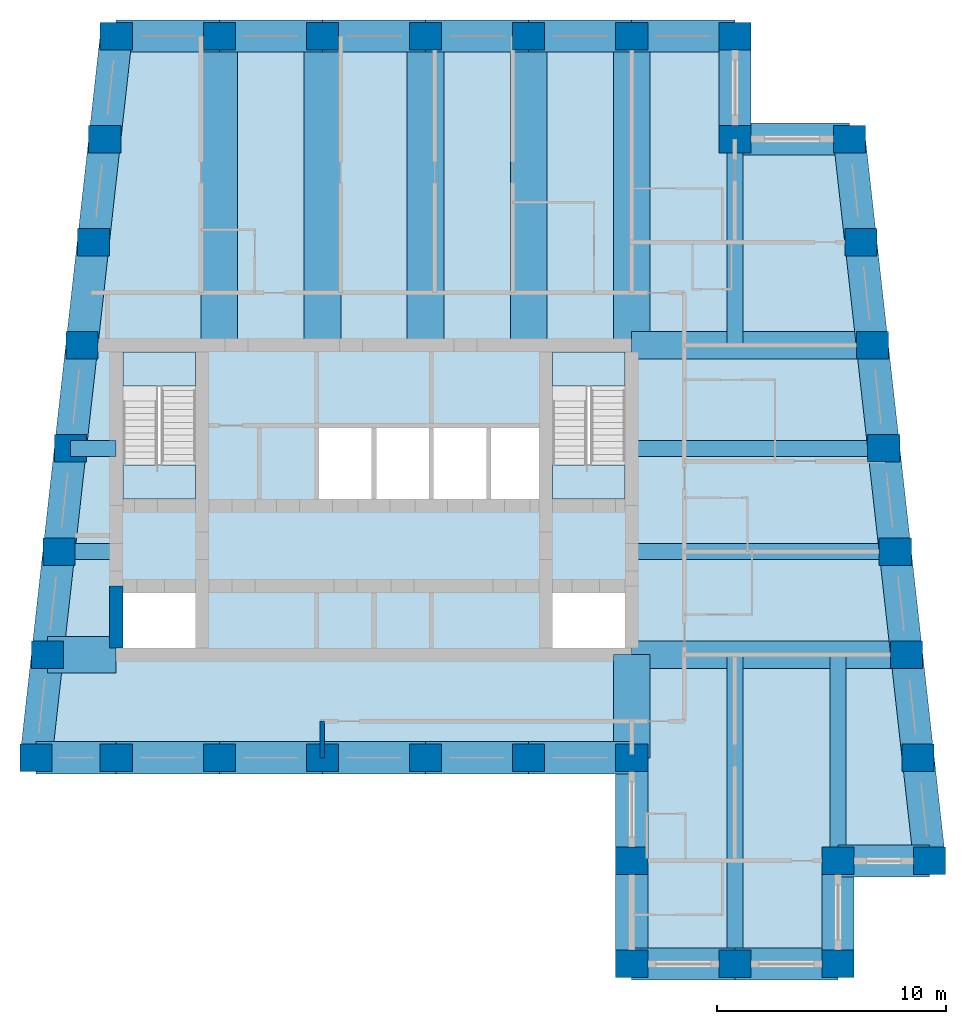
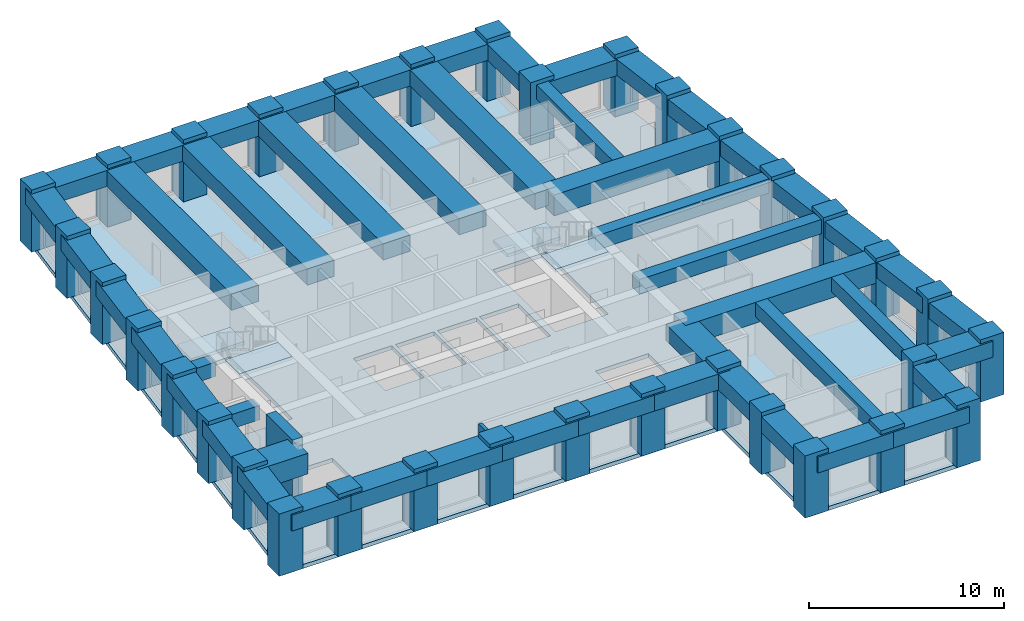
# One storey, part 1 of 7: 50 beams, 34 columns, 5 slabs, 2 walls, 2 elements without a shape of their own.
"""IFC4 building model written with IfcOpenShell, lengths in metres."""

from ifc_helpers import new_model, si_unit, direction, frame, frame_2d, origin, origin_2d, place, context, subcontext, project, spatial, polyline, rectangle, outline, extrude, material, layer, layer_set, material_profile, profile_set, type_object, element, aggregate, save


model = new_model("IFC4")

# Units and contexts
model_context = context("Model", 3, precision=1e-05, world=origin(), true_north=direction((0.0, 1.0)))
body_context = subcontext(model_context, "Body", "Model", "MODEL_VIEW")
ifc_project = project(units=[si_unit("LENGTHUNIT", "METRE"), si_unit("AREAUNIT", "SQUARE_METRE"), si_unit("VOLUMEUNIT", "CUBIC_METRE"), si_unit("PLANEANGLEUNIT", "RADIAN"), si_unit("MASSUNIT", "GRAM", prefix="KILO")], contexts=[model_context])

# Site, building, storey
site_placement = place(None, origin())
site = spatial("IfcSite", under=ifc_project, at=site_placement, CompositionType="ELEMENT")
building_placement = place(site_placement, origin())
building = spatial("IfcBuilding", under=site, at=building_placement, Name="Kilele Tower Hotel", CompositionType="ELEMENT")
storey_placement = place(building_placement, frame((0.0, 0.0, 274.10009765625)))
storey = spatial("IfcBuildingStorey", under=building, at=storey_placement, Name="L70", CompositionType="ELEMENT", Elevation=274.10009765625)

# Columns
ifc_material_1 = material(Name="Concrete C60/75", Category="concrete")
ifc_material_profile_1 = material_profile(ifc_material_1, rectangle(XDim=1.39990234375, YDim=1.199951171875, at=origin_2d()))
ifc_profile_set_1 = profile_set([ifc_material_profile_1], Name="Concrete C60/75")
column_type = type_object("IfcColumnType", Name="Tube column RC 1400x1200 C60/75", PredefinedType="COLUMN", material=ifc_profile_set_1)
for number, where, z_axis, x_axis, name in (
    (1, (10.0, 9.0, 0.0), (0.0, 0.0, 1.0), (1.0, 0.0, 0.0), "Column TC5 L70"),
    (2, (13.5, 9.0, 0.0), (0.0, 0.0, 1.0), (1.0, 0.0, 0.0), "Column TC5 L70"),
    (3, (18.0, 9.0, 0.0), (0.0, 0.0, 1.0), (1.0, 0.0, 0.0), "Column TC5 L70"),
    (4, (22.5, 9.0, 0.0), (0.0, 0.0, 1.0), (1.0, 0.0, 0.0), "Column TC5 L70"),
    (5, (27.0, 9.0, 0.0), (0.0, 0.0, 1.0), (1.0, 0.0, 0.0), "Column TC5 L70"),
    (6, (31.5, 9.0, 0.0), (0.0, 0.0, 1.0), (1.0, 0.0, 0.0), "Column TC5 L70"),
    (7, (36.0, 9.0, 0.0), (0.0, 0.0, 1.0), (1.0, 0.0, 0.0), "Column TC5 L70"),
    (8, (36.0, 4.5, 0.0), (0.0, 0.0, 1.0), (1.0, 0.0, 0.0), "Column TC5 L70"),
    (9, (36.0, 0.0, 0.0), (0.0, 0.0, 1.0), (1.0, 0.0, 0.0), "Column TC5 L70"),
    (10, (40.5, 0.0, 0.0), (0.0, 0.0, 1.0), (1.0, 0.0, 0.0), "Column TC5 L70"),
    (11, (45.0, 0.0, 0.0), (0.0, 0.0, 1.0), (1.0, 0.0, 0.0), "Column TC5 L70"),
    (12, (45.0, 4.5, 0.0), (0.0, 0.0, 1.0), (1.0, 0.0, 0.0), "Column TC5 L70"),
    (13, (49.0, 4.5, 0.0), (0.0, 0.0, 1.0), (1.0, 0.0, 0.0), "Column TC5 L70"),
    (14, (48.5, 9.0, 0.0), (0.0, 0.0, 1.0), (1.0, 0.0, 0.0), "Column TC5 L70"),
    (15, (48.0, 13.5, 0.0), (0.0, 0.0, 1.0), (1.0, 0.0, 0.0), "Column TC5 L70"),
    (16, (47.5, 18.0, 0.0), (0.0, 0.0, 1.0), (1.0, 0.0, 0.0), "Column TC5 L70"),
    (17, (47.0, 22.5, 0.0), (0.0, 0.0, 1.0), (1.0, 0.0, 0.0), "Column TC5 L70"),
    (18, (46.5, 27.0, 0.0), (0.0, 0.0, 1.0), (1.0, 0.0, 0.0), "Column TC5 L70"),
    (19, (46.0, 31.5, 0.0), (0.0, 0.0, 1.0), (1.0, 0.0, 0.0), "Column TC5 L70"),
    (20, (45.5, 36.0, 0.0), (0.0, 0.0, 1.0), (1.0, 0.0, 0.0), "Column TC5 L70"),
    (21, (40.5, 36.0, 0.0), (0.0, 0.0, 1.0), (1.0, 0.0, 0.0), "Column TC5 L70"),
    (22, (40.5, 40.5, 0.0), (0.0, 0.0, 1.0), (1.0, 0.0, 0.0), "Column TC5 L70"),
    (23, (36.0, 40.5, 0.0), (0.0, 0.0, 1.0), (1.0, 0.0, 0.0), "Column TC5 L70"),
    (24, (31.5, 40.5, 0.0), (0.0, 0.0, 1.0), (1.0, 0.0, 0.0), "Column TC5 L70"),
    (25, (27.0, 40.5, 0.0), (0.0, 0.0, 1.0), (1.0, 0.0, 0.0), "Column TC5 L70"),
    (26, (22.5, 40.5, 0.0), (0.0, 0.0, 1.0), (1.0, 0.0, 0.0), "Column TC5 L70"),
    (27, (18.0, 40.5, 0.0), (0.0, 0.0, 1.0), (1.0, 0.0, 0.0), "Column TC5 L70"),
    (28, (13.5, 40.5, 0.0), (0.0, 0.0, 1.0), (1.0, 0.0, 0.0), "Column TC5 L70"),
    (29, (13.0, 36.0, 0.0), (0.0, 0.0, 1.0), (1.0, 0.0, 0.0), "Column TC5 L70"),
    (30, (12.5, 31.5, 0.0), (0.0, 0.0, 1.0), (1.0, 0.0, 0.0), "Column TC5 L70"),
    (31, (12.0, 27.0, 0.0), (0.0, 0.0, 1.0), (1.0, 0.0, 0.0), "Column TC5 L70"),
    (32, (11.5, 22.5, 0.0), (0.0, 0.0, 1.0), (1.0, 0.0, 0.0), "Column TC5 L70"),
    (33, (11.0, 18.0, 0.0), (0.0, 0.0, 1.0), (1.0, 0.0, 0.0), "Column TC5 L70"),
    (34, (10.5, 13.5, 0.0), (0.0, 0.0, 1.0), (1.0, 0.0, 0.0), "Column TC5 L70"),
):
    element("IfcColumn", number, at=place(storey_placement, frame(where, z_axis=z_axis, x_axis=x_axis)), inside=storey, type_object=column_type, Name=name, PredefinedType="COLUMN", context=body_context, shape_type="SweptSolid", body=[
        extrude(rectangle(XDim=1.39990234375, YDim=1.199951171875, at=origin_2d()), origin(), (0.0, 0.0, 1.0), 3.89990234375),
    ])

# Beams
ifc_material_2 = material(Name="Concrete C60/75", Category="concrete")
ifc_material_profile_2 = material_profile(ifc_material_2, rectangle(XDim=1.60009765625, YDim=1.0, at=origin_2d()))
ifc_profile_set_2 = profile_set([ifc_material_profile_2], Name="Concrete C60/75")
beam_type_1 = type_object("IfcBeamType", Name="Beam RC 1600x1000 C60/75", PredefinedType="BEAM", material=ifc_profile_set_2)
for number, where, z_axis, x_axis, name in (
    (35, (36.0, 40.5, 3.14990234375), (0.0, -1.0, 0.0), (1.0, 0.0, 0.0), "Beam BC1 level L71"),
    (36, (31.5, 40.5, 3.14990234375), (0.0, -1.0, 0.0), (1.0, 0.0, 0.0), "Beam BC1 level L71"),
    (37, (27.0, 40.5, 3.14990234375), (0.0, -1.0, 0.0), (1.0, 0.0, 0.0), "Beam BC1 level L71"),
    (38, (22.5, 40.5, 3.14990234375), (0.0, -1.0, 0.0), (1.0, 0.0, 0.0), "Beam BC1 level L71"),
    (39, (18.0, 40.5, 3.14990234375), (0.0, -1.0, 0.0), (1.0, 0.0, 0.0), "Beam BC1 level L71"),
):
    element("IfcBeam", number, at=place(storey_placement, frame(where, z_axis=z_axis, x_axis=x_axis)), inside=storey, type_object=beam_type_1, Name=name, PredefinedType="BEAM", context=body_context, shape_type="SweptSolid", body=[
        extrude(rectangle(XDim=1.60009765625, YDim=1.0, at=origin_2d()), origin(), (0.0, 0.0, 1.0), 13.5),
    ])
ifc_material_3 = material(Name="Concrete C60/75", Category="concrete")
ifc_material_profile_3 = material_profile(ifc_material_3, rectangle(XDim=1.60009765625, YDim=1.0, at=origin_2d()))
ifc_profile_set_3 = profile_set([ifc_material_profile_3], Name="Concrete C60/75")
beam_type_2 = type_object("IfcBeamType", Name="Beam RC 1600x1000 C60/75 short span", PredefinedType="BEAM", material=ifc_profile_set_3)
beam_1_placement = place(storey_placement, frame((36.0, 9.0, 3.14990234375), z_axis=(0.0, 1.0, 0.0), x_axis=(-1.0, 0.0, 0.0)))
element("IfcBeam", 40, at=beam_1_placement, inside=storey, type_object=beam_type_2, Name="Beam BC2 level L71", PredefinedType="BEAM", context=body_context, shape_type="SweptSolid", body=[
    extrude(rectangle(XDim=1.60009765625, YDim=1.0, at=origin_2d()), origin(), (0.0, 0.0, 1.0), 4.5),
])
ifc_material_4 = material(Name="Concrete C60/75", Category="concrete")
ifc_material_profile_4 = material_profile(ifc_material_4, rectangle(XDim=0.699951171875, YDim=0.89990234375, at=origin_2d()))
ifc_profile_set_4 = profile_set([ifc_material_profile_4], Name="Concrete C60/75")
beam_type_3 = type_object("IfcBeamType", Name="Beam RC 700x900 C60/75", PredefinedType="BEAM", material=ifc_profile_set_4)
beam_2_placement = place(storey_placement, frame((40.5, 0.0, 3.199951171875), z_axis=(0.0, 1.0, 0.0), x_axis=(-1.0, 0.0, 0.0)))
element("IfcBeam", 41, at=beam_2_placement, inside=storey, type_object=beam_type_3, Name="Beam B1 level L71", PredefinedType="BEAM", context=body_context, shape_type="SweptSolid", body=[
    extrude(rectangle(XDim=0.699951171875, YDim=0.89990234375, at=origin_2d()), origin(), (0.0, 0.0, 1.0), 13.5),
])
ifc_material_5 = material(Name="Concrete C60/75", Category="concrete")
ifc_material_profile_5 = material_profile(ifc_material_5, rectangle(XDim=0.699951171875, YDim=0.89990234375, at=origin_2d()))
ifc_profile_set_5 = profile_set([ifc_material_profile_5], Name="Concrete C60/75")
beam_type_4 = type_object("IfcBeamType", Name="Beam RC 700x900 C60/75 mid span", PredefinedType="BEAM", material=ifc_profile_set_5)
beam_3_placement = place(storey_placement, frame((45.0, 4.5, 3.199951171875), z_axis=(0.0, 1.0, 0.0), x_axis=(-1.0, 0.0, 0.0)))
element("IfcBeam", 42, at=beam_3_placement, inside=storey, type_object=beam_type_4, Name="Beam B2 level L71", PredefinedType="BEAM", context=body_context, shape_type="SweptSolid", body=[
    extrude(rectangle(XDim=0.699951171875, YDim=0.89990234375, at=origin_2d()), origin(), (0.0, 0.0, 1.0), 9.0),
])
beam_4_placement = place(storey_placement, frame((47.5, 18.0, 3.199951171875), z_axis=(-1.0, 0.0, 0.0), x_axis=(0.0, -1.0, 0.0)))
element("IfcBeam", 43, at=beam_4_placement, inside=storey, type_object=beam_type_4, Name="Beam B2 level L71", PredefinedType="BEAM", context=body_context, shape_type="SweptSolid", body=[
    extrude(rectangle(XDim=0.699951171875, YDim=0.89990234375, at=origin_2d()), origin(), (0.0, 0.0, 1.0), 11.5),
])
beam_5_placement = place(storey_placement, frame((47.0, 22.5, 3.199951171875), z_axis=(-1.0, 0.0, 0.0), x_axis=(0.0, -1.0, 0.0)))
element("IfcBeam", 44, at=beam_5_placement, inside=storey, type_object=beam_type_4, Name="Beam B2 level L71", PredefinedType="BEAM", context=body_context, shape_type="SweptSolid", body=[
    extrude(rectangle(XDim=0.699951171875, YDim=0.89990234375, at=origin_2d()), origin(), (0.0, 0.0, 1.0), 11.0),
])
beam_6_placement = place(storey_placement, frame((40.5, 36.0, 3.199951171875), z_axis=(0.0, -1.0, 0.0), x_axis=(1.0, 0.0, 0.0)))
element("IfcBeam", 45, at=beam_6_placement, inside=storey, type_object=beam_type_4, Name="Beam B2 level L71", PredefinedType="BEAM", context=body_context, shape_type="SweptSolid", body=[
    extrude(rectangle(XDim=0.699951171875, YDim=0.89990234375, at=origin_2d()), origin(), (0.0, 0.0, 1.0), 9.0),
])
ifc_material_6 = material(Name="Concrete C60/75", Category="concrete")
ifc_material_profile_6 = material_profile(ifc_material_6, rectangle(XDim=0.699951171875, YDim=0.89990234375, at=origin_2d()))
ifc_profile_set_6 = profile_set([ifc_material_profile_6], Name="Concrete C60/75")
beam_type_5 = type_object("IfcBeamType", Name="Beam RC 700x900 C60/75 short span", PredefinedType="BEAM", material=ifc_profile_set_6)
beam_7_placement = place(storey_placement, frame((11.5, 22.5, 3.199951171875), z_axis=(1.0, 0.0, 0.0), x_axis=(0.0, 1.0, 0.0)))
element("IfcBeam", 46, at=beam_7_placement, inside=storey, type_object=beam_type_5, Name="Beam B3 level L71", PredefinedType="BEAM", context=body_context, shape_type="SweptSolid", body=[
    extrude(rectangle(XDim=0.699951171875, YDim=0.89990234375, at=origin_2d()), origin(), (0.0, 0.0, 1.0), 2.0),
])
beam_8_placement = place(storey_placement, frame((11.0, 18.0, 3.199951171875), z_axis=(1.0, 0.0, 0.0), x_axis=(0.0, 1.0, 0.0)))
element("IfcBeam", 47, at=beam_8_placement, inside=storey, type_object=beam_type_5, Name="Beam B3 level L71", PredefinedType="BEAM", context=body_context, shape_type="SweptSolid", body=[
    extrude(rectangle(XDim=0.699951171875, YDim=0.89990234375, at=origin_2d()), origin(), (0.0, 0.0, 1.0), 2.5),
])
ifc_material_7 = material(Name="Concrete C60/75", Category="concrete")
ifc_material_profile_7 = material_profile(ifc_material_7, rectangle(XDim=1.60009765625, YDim=1.300048828125, at=origin_2d()))
ifc_profile_set_7 = profile_set([ifc_material_profile_7], Name="Concrete C60/75")
beam_type_6 = type_object("IfcBeamType", Name="Coupling girder RC 1600x1300 C60/75", PredefinedType="BEAM", material=ifc_profile_set_7)
beam_9_placement = place(storey_placement, frame((10.5, 13.5, 3.0), z_axis=(1.0, 0.0, 0.0), x_axis=(0.0, 1.0, 0.0)))
element("IfcBeam", 48, at=beam_9_placement, inside=storey, type_object=beam_type_6, Name="Coupling girder G2 level L71", PredefinedType="BEAM", context=body_context, shape_type="SweptSolid", body=[
    extrude(rectangle(XDim=1.60009765625, YDim=1.300048828125, at=origin_2d()), origin(), (0.0, 0.0, 1.0), 3.0),
])
ifc_material_8 = material(Name="Concrete C60/75", Category="concrete")
ifc_material_profile_8 = material_profile(ifc_material_8, rectangle(XDim=1.199951171875, YDim=1.300048828125, at=origin_2d()))
ifc_profile_set_8 = profile_set([ifc_material_profile_8], Name="Concrete C60/75")
beam_type_7 = type_object("IfcBeamType", Name="Girder RC 1200x1300 C60/75", PredefinedType="BEAM", material=ifc_profile_set_8)
beam_10_placement = place(storey_placement, frame((48.0, 13.5, 3.0), z_axis=(-1.0, 0.0, 0.0), x_axis=(0.0, -1.0, 0.0)))
element("IfcBeam", 49, at=beam_10_placement, inside=storey, type_object=beam_type_7, Name="Girder G1 level L71", PredefinedType="BEAM", context=body_context, shape_type="SweptSolid", body=[
    extrude(rectangle(XDim=1.199951171875, YDim=1.300048828125, at=origin_2d()), origin(), (0.0, 0.0, 1.0), 12.0),
])
ifc_material_9 = material(Name="Concrete C60/75", Category="concrete")
ifc_material_profile_9 = material_profile(ifc_material_9, rectangle(XDim=1.199951171875, YDim=1.300048828125, at=origin_2d()))
ifc_profile_set_9 = profile_set([ifc_material_profile_9], Name="Concrete C60/75")
beam_type_8 = type_object("IfcBeamType", Name="Girder RC 1200x1300 C60/75 mid span", PredefinedType="BEAM", material=ifc_profile_set_9)
beam_11_placement = place(storey_placement, frame((46.5, 27.0, 3.0), z_axis=(-1.0, 0.0, 0.0), x_axis=(0.0, -1.0, 0.0)))
element("IfcBeam", 50, at=beam_11_placement, inside=storey, type_object=beam_type_8, Name="Girder G3 level L71", PredefinedType="BEAM", context=body_context, shape_type="SweptSolid", body=[
    extrude(rectangle(XDim=1.199951171875, YDim=1.300048828125, at=origin_2d()), origin(), (0.0, 0.0, 1.0), 10.5),
])
ifc_material_10 = material(Name="Concrete C60/75", Category="concrete")
ifc_material_profile_10 = material_profile(ifc_material_10, rectangle(XDim=1.39990234375, YDim=1.0, at=origin_2d()))
ifc_profile_set_10 = profile_set([ifc_material_profile_10], Name="Concrete C60/75")
beam_type_9 = type_object("IfcBeamType", Name="Spandrel RC 1400x1000 C60/75", PredefinedType="SPANDREL", material=ifc_profile_set_10)
beam_12_placement = place(storey_placement, frame((10.0, 9.0, 3.14990234375), z_axis=(1.0, 0.0, 0.0), x_axis=(0.0, 1.0, 0.0)))
element("IfcBeam", 51, at=beam_12_placement, inside=storey, type_object=beam_type_9, Name="Spandrel SP1 level L71", PredefinedType="SPANDREL", context=body_context, shape_type="SweptSolid", body=[
    extrude(rectangle(XDim=1.39990234375, YDim=1.0, at=origin_2d()), origin(), (0.0, 0.0, 1.0), 3.5),
])
for number, where, z_axis, x_axis, name in (
    (52, (13.5, 9.0, 3.14990234375), (1.0, 0.0, 0.0), (0.0, 1.0, 0.0), "Spandrel SP1 level L71"),
    (53, (18.0, 9.0, 3.14990234375), (1.0, 0.0, 0.0), (0.0, 1.0, 0.0), "Spandrel SP1 level L71"),
    (54, (22.5, 9.0, 3.14990234375), (1.0, 0.0, 0.0), (0.0, 1.0, 0.0), "Spandrel SP1 level L71"),
    (55, (27.0, 9.0, 3.14990234375), (1.0, 0.0, 0.0), (0.0, 1.0, 0.0), "Spandrel SP1 level L71"),
    (56, (31.5, 9.0, 3.14990234375), (1.0, 0.0, 0.0), (0.0, 1.0, 0.0), "Spandrel SP1 level L71"),
    (57, (36.0, 9.0, 3.14990234375), (0.0, -1.0, 0.0), (1.0, 0.0, 0.0), "Spandrel SP1 level L71"),
    (58, (36.0, 4.5, 3.14990234375), (0.0, -1.0, 0.0), (1.0, 0.0, 0.0), "Spandrel SP1 level L71"),
    (59, (36.0, 0.0, 3.14990234375), (1.0, 0.0, 0.0), (0.0, 1.0, 0.0), "Spandrel SP1 level L71"),
    (60, (40.5, 0.0, 3.14990234375), (1.0, 0.0, 0.0), (0.0, 1.0, 0.0), "Spandrel SP1 level L71"),
    (61, (45.0, 0.0, 3.14990234375), (0.0, 1.0, 0.0), (-1.0, 0.0, 0.0), "Spandrel SP1 level L71"),
):
    element("IfcBeam", number, at=place(storey_placement, frame(where, z_axis=z_axis, x_axis=x_axis)), inside=storey, type_object=beam_type_9, Name=name, PredefinedType="SPANDREL", context=body_context, shape_type="SweptSolid", body=[
        extrude(rectangle(XDim=1.39990234375, YDim=1.0, at=origin_2d()), origin(), (0.0, 0.0, 1.0), 4.5),
    ])
beam_13_placement = place(storey_placement, frame((45.0, 4.5, 3.14990234375), z_axis=(1.0, 0.0, 0.0), x_axis=(0.0, 1.0, 0.0)))
element("IfcBeam", 62, at=beam_13_placement, inside=storey, type_object=beam_type_9, Name="Spandrel SP1 level L71", PredefinedType="SPANDREL", context=body_context, shape_type="SweptSolid", body=[
    extrude(rectangle(XDim=1.39990234375, YDim=1.0, at=origin_2d()), origin(), (0.0, 0.0, 1.0), 4.0),
])
for number, where, z_axis, x_axis, name in (
    (63, (49.0, 4.5, 3.14990234375), (-0.110431526075, 0.993883734674, 0.0), (-0.993883734674, -0.110431526075, 0.0), "Spandrel SP1 level L71"),
    (64, (48.5, 9.0, 3.14990234375), (-0.110431526075, 0.993883734674, 0.0), (-0.993883734674, -0.110431526075, 0.0), "Spandrel SP1 level L71"),
    (65, (48.0, 13.5, 3.14990234375), (-0.110431526075, 0.993883734674, 0.0), (-0.993883734674, -0.110431526075, 0.0), "Spandrel SP1 level L71"),
    (66, (47.5, 18.0, 3.14990234375), (-0.110431526075, 0.993883734674, 0.0), (-0.993883734674, -0.110431526075, 0.0), "Spandrel SP1 level L71"),
    (67, (47.0, 22.5, 3.14990234375), (-0.110431526075, 0.993883734674, 0.0), (-0.993883734674, -0.110431526075, 0.0), "Spandrel SP1 level L71"),
    (68, (46.5, 27.0, 3.14990234375), (-0.110431526075, 0.993883734674, 0.0), (-0.993883734674, -0.110431526075, 0.0), "Spandrel SP1 level L71"),
    (69, (46.0, 31.5, 3.14990234375), (-0.110431526075, 0.993883734674, 0.0), (-0.993883734674, -0.110431526075, 0.0), "Spandrel SP1 level L71"),
):
    element("IfcBeam", number, at=place(storey_placement, frame(where, z_axis=z_axis, x_axis=x_axis)), inside=storey, type_object=beam_type_9, Name=name, PredefinedType="SPANDREL", context=body_context, shape_type="SweptSolid", body=[
        extrude(rectangle(XDim=1.39990234375, YDim=1.0, at=origin_2d()), origin(), (0.0, 0.0, 1.0), 4.527587890625),
    ])
beam_14_placement = place(storey_placement, frame((45.5, 36.0, 3.14990234375), z_axis=(-1.0, 0.0, 0.0), x_axis=(0.0, -1.0, 0.0)))
element("IfcBeam", 70, at=beam_14_placement, inside=storey, type_object=beam_type_9, Name="Spandrel SP1 level L71", PredefinedType="SPANDREL", context=body_context, shape_type="SweptSolid", body=[
    extrude(rectangle(XDim=1.39990234375, YDim=1.0, at=origin_2d()), origin(), (0.0, 0.0, 1.0), 5.0),
])
for number, where, z_axis, x_axis, name in (
    (71, (40.5, 36.0, 3.14990234375), (0.0, 1.0, 0.0), (-1.0, 0.0, 0.0), "Spandrel SP1 level L71"),
    (72, (40.5, 40.5, 3.14990234375), (-1.0, 0.0, 0.0), (0.0, -1.0, 0.0), "Spandrel SP1 level L71"),
    (73, (36.0, 40.5, 3.14990234375), (-1.0, 0.0, 0.0), (0.0, -1.0, 0.0), "Spandrel SP1 level L71"),
    (74, (31.5, 40.5, 3.14990234375), (-1.0, 0.0, 0.0), (0.0, -1.0, 0.0), "Spandrel SP1 level L71"),
    (75, (27.0, 40.5, 3.14990234375), (-1.0, 0.0, 0.0), (0.0, -1.0, 0.0), "Spandrel SP1 level L71"),
    (76, (22.5, 40.5, 3.14990234375), (-1.0, 0.0, 0.0), (0.0, -1.0, 0.0), "Spandrel SP1 level L71"),
    (77, (18.0, 40.5, 3.14990234375), (-1.0, 0.0, 0.0), (0.0, -1.0, 0.0), "Spandrel SP1 level L71"),
):
    element("IfcBeam", number, at=place(storey_placement, frame(where, z_axis=z_axis, x_axis=x_axis)), inside=storey, type_object=beam_type_9, Name=name, PredefinedType="SPANDREL", context=body_context, shape_type="SweptSolid", body=[
        extrude(rectangle(XDim=1.39990234375, YDim=1.0, at=origin_2d()), origin(), (0.0, 0.0, 1.0), 4.5),
    ])
for number, where, z_axis, x_axis, name in (
    (78, (13.5, 40.5, 3.14990234375), (-0.110431526075, -0.993883734674, 0.0), (0.993883734674, -0.110431526075, 0.0), "Spandrel SP1 level L71"),
    (79, (13.0, 36.0, 3.14990234375), (-0.110431526075, -0.993883734674, 0.0), (0.993883734674, -0.110431526075, 0.0), "Spandrel SP1 level L71"),
    (80, (12.5, 31.5, 3.14990234375), (-0.110431526075, -0.993883734674, 0.0), (0.993883734674, -0.110431526075, 0.0), "Spandrel SP1 level L71"),
    (81, (12.0, 27.0, 3.14990234375), (-0.110431526075, -0.993883734674, 0.0), (0.993883734674, -0.110431526075, 0.0), "Spandrel SP1 level L71"),
    (82, (11.5, 22.5, 3.14990234375), (-0.110431526075, -0.993883734674, 0.0), (0.993883734674, -0.110431526075, 0.0), "Spandrel SP1 level L71"),
    (83, (11.0, 18.0, 3.14990234375), (-0.110431526075, -0.993883734674, 0.0), (0.993883734674, -0.110431526075, 0.0), "Spandrel SP1 level L71"),
    (84, (10.5, 13.5, 3.14990234375), (-0.110431526075, -0.993883734674, 0.0), (0.993883734674, -0.110431526075, 0.0), "Spandrel SP1 level L71"),
):
    element("IfcBeam", number, at=place(storey_placement, frame(where, z_axis=z_axis, x_axis=x_axis)), inside=storey, type_object=beam_type_9, Name=name, PredefinedType="SPANDREL", context=body_context, shape_type="SweptSolid", body=[
        extrude(rectangle(XDim=1.39990234375, YDim=1.0, at=origin_2d()), origin(), (0.0, 0.0, 1.0), 4.527587890625),
    ])

# Slab
ifc_material_11 = material(Name="Concrete C60/75", Category="concrete")
ifc_layer_1 = layer(ifc_material_11, 0.25)
ifc_layer_set_1 = layer_set([ifc_layer_1], Name="Concrete C60/75")
slab_type_1 = type_object("IfcSlabType", Name="Floor slab 250", PredefinedType="FLOOR", material=ifc_layer_set_1)
slab_1_placement = place(storey_placement, frame((0.0, 0.0, -0.25)))
element("IfcSlab", 85, at=slab_1_placement, inside=storey, type_object=slab_type_1, Name="Floor slab L70", PredefinedType="FLOOR", context=body_context, shape_type="SweptSolid", body=[
    extrude(outline(polyline([(40.800048828125, 40.800048828125), (40.800048828125, 36.300048828125), (45.7685546875, 36.300048828125), (49.335205078125, 4.199951171875), (45.300048828125, 4.199951171875), (45.300048828125, -0.300048828125), (35.699951171875, -0.300048828125), (35.699951171875, 8.699951171875), (9.664794921875, 8.699951171875), (13.2314453125, 40.800048828125), (40.800048828125, 40.800048828125)]), holes=[polyline([(16.949951171875, 16.199951171875), (13.800048828125, 16.199951171875), (13.800048828125, 13.800048828125), (16.949951171875, 13.800048828125), (16.949951171875, 16.199951171875)]), polyline([(35.699951171875, 16.199951171875), (32.550048828125, 16.199951171875), (32.550048828125, 13.800048828125), (35.699951171875, 13.800048828125), (35.699951171875, 16.199951171875)]), polyline([(24.64990234375, 23.39990234375), (22.35009765625, 23.39990234375), (22.35009765625, 20.10009765625), (24.64990234375, 20.10009765625), (24.64990234375, 23.39990234375)]), polyline([(27.14990234375, 23.39990234375), (24.85009765625, 23.39990234375), (24.85009765625, 20.10009765625), (27.14990234375, 20.10009765625), (27.14990234375, 23.39990234375)]), polyline([(29.64990234375, 23.39990234375), (27.35009765625, 23.39990234375), (27.35009765625, 20.10009765625), (29.64990234375, 20.10009765625), (29.64990234375, 23.39990234375)]), polyline([(32.14990234375, 23.39990234375), (29.85009765625, 23.39990234375), (29.85009765625, 20.10009765625), (32.14990234375, 20.10009765625), (32.14990234375, 23.39990234375)]), polyline([(16.949951171875, 26.699951171875), (13.800048828125, 26.699951171875), (13.800048828125, 20.300048828125), (16.949951171875, 20.300048828125), (16.949951171875, 26.699951171875)]), polyline([(35.699951171875, 26.699951171875), (32.550048828125, 26.699951171875), (32.550048828125, 20.300048828125), (35.699951171875, 20.300048828125), (35.699951171875, 26.699951171875)])]), origin(), (0.0, 0.0, 1.0), 0.25),
])

# Stair, slabs
ifc_material_12 = material(Name="Precast concrete C40/50", Category="concrete")
stair_type = type_object("IfcStairType", Name="Stair 1475 x 3900", PredefinedType="HALF_TURN_STAIR", material=ifc_material_12)
stair_1_placement = place(storey_placement, origin())
stair_1 = element("IfcStair", 86, at=stair_1_placement, inside=storey, type_object=stair_type, Name="Stair 1 L70", PredefinedType="HALF_TURN_STAIR")
ifc_material_13 = material(Name="Precast concrete C40/50", Category="concrete")
ifc_layer_2 = layer(ifc_material_13, 0.199951171875)
ifc_layer_set_2 = layer_set([ifc_layer_2], Name="Precast concrete C40/50")
slab_type_2 = type_object("IfcSlabType", Name="Stair landing 200", PredefinedType="LANDING", material=ifc_layer_set_2)
slab_2_placement = place(storey_placement, frame((0.0, 0.0, 1.6650390625)))
slab_2 = element("IfcSlab", 87, at=slab_2_placement, type_object=slab_type_2, Name="ST1 landing 1", PredefinedType="LANDING", context=body_context, shape_type="SweptSolid", body=[
    extrude(outline(polyline([(13.800048828125, 25.22509765625), (16.949951171875, 25.22509765625), (16.949951171875, 26.699951171875), (13.800048828125, 26.699951171875), (13.800048828125, 25.22509765625)])), origin(), (0.0, 0.0, 1.0), 0.199951171875),
])
slab_3_placement = place(storey_placement, frame((0.0, 0.0, 3.699951171875)))
slab_3 = element("IfcSlab", 88, at=slab_3_placement, type_object=slab_type_2, Name="ST1 landing 2", PredefinedType="LANDING", context=body_context, shape_type="SweptSolid", body=[
    extrude(outline(polyline([(13.800048828125, 20.300048828125), (16.949951171875, 20.300048828125), (16.949951171875, 21.77490234375), (13.800048828125, 21.77490234375), (13.800048828125, 20.300048828125)])), origin(), (0.0, 0.0, 1.0), 0.199951171875),
])
aggregate(stair_1, [slab_2, slab_3])

stair_2_placement = place(storey_placement, origin())
stair_2 = element("IfcStair", 89, at=stair_2_placement, inside=storey, type_object=stair_type, Name="Stair 2 L70", PredefinedType="HALF_TURN_STAIR")
slab_4_placement = place(storey_placement, frame((0.0, 0.0, 1.6650390625)))
slab_4 = element("IfcSlab", 90, at=slab_4_placement, type_object=slab_type_2, Name="ST2 landing 1", PredefinedType="LANDING", context=body_context, shape_type="SweptSolid", body=[
    extrude(outline(polyline([(32.550048828125, 25.22509765625), (35.699951171875, 25.22509765625), (35.699951171875, 26.699951171875), (32.550048828125, 26.699951171875), (32.550048828125, 25.22509765625)])), origin(), (0.0, 0.0, 1.0), 0.199951171875),
])
slab_5_placement = place(storey_placement, frame((0.0, 0.0, 3.699951171875)))
slab_5 = element("IfcSlab", 91, at=slab_5_placement, type_object=slab_type_2, Name="ST2 landing 2", PredefinedType="LANDING", context=body_context, shape_type="SweptSolid", body=[
    extrude(outline(polyline([(32.550048828125, 20.300048828125), (35.699951171875, 20.300048828125), (35.699951171875, 21.77490234375), (32.550048828125, 21.77490234375), (32.550048828125, 20.300048828125)])), origin(), (0.0, 0.0, 1.0), 0.199951171875),
])
aggregate(stair_2, [slab_4, slab_5])

# Walls
ifc_material_14 = material(Name="Concrete C60/75", Category="concrete")
ifc_layer_3 = layer(ifc_material_14, 0.60009765625)
ifc_layer_set_3 = layer_set([ifc_layer_3], Name="Concrete C60/75")
wall_type_1 = type_object("IfcWallType", Name="Core wall 600 C60/75", PredefinedType="SHEAR", material=ifc_layer_set_3)
wall_1_placement = place(storey_placement, frame((13.5, 16.5, 0.0), z_axis=(0.0, 0.0, 1.0), x_axis=(0.0, -1.0, 0.0)))
element("IfcWall", 92, at=wall_1_placement, inside=storey, type_object=wall_type_1, Name="Core wall W3 L70", PredefinedType="SHEAR", context=body_context, shape_type="SweptSolid", body=[
    extrude(rectangle(XDim=2.699951171875, YDim=0.60009765625, at=frame_2d((1.35009765625, 0.0))), origin(), (0.0, 0.0, 1.0), 3.89990234375),
])
ifc_material_15 = material(Name="Blockwork, plastered both sides", Category="masonry")
ifc_layer_4 = layer(ifc_material_15, 0.199951171875)
ifc_layer_set_4 = layer_set([ifc_layer_4], Name="Blockwork, plastered both sides")
wall_type_2 = type_object("IfcWallType", Name="Party wall 200", PredefinedType="PARTITIONING", material=ifc_layer_set_4)
wall_2_placement = place(storey_placement, frame((22.5, 10.60009765625, 0.0), z_axis=(0.0, 0.0, 1.0), x_axis=(0.0, -1.0, 0.0)))
element("IfcWall", 93, at=wall_2_placement, inside=storey, type_object=wall_type_2, Name="Party wall 200 L70", PredefinedType="PARTITIONING", context=body_context, shape_type="SweptSolid", body=[
    extrude(rectangle(XDim=1.60009765625, YDim=0.199951171875, at=frame_2d((0.800048828125, 0.0))), origin(), (0.0, 0.0, 1.0), 3.64990234375),
])

save(model, "model.ifc")
